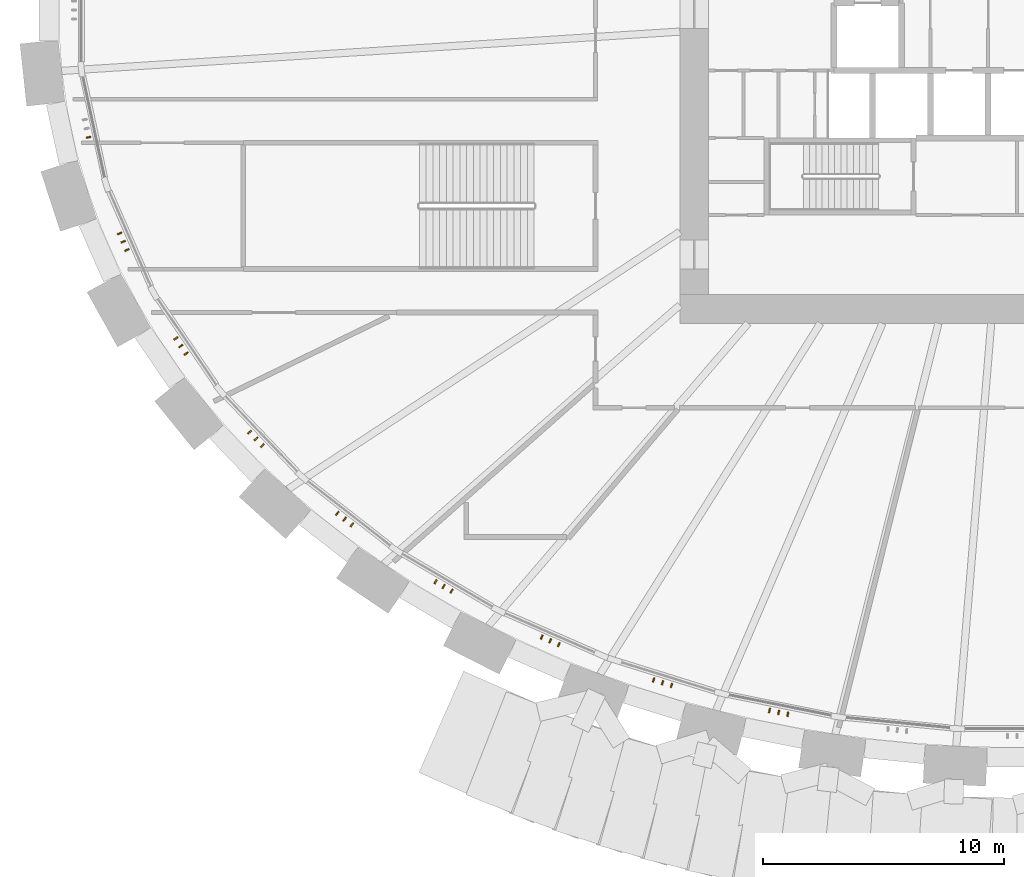
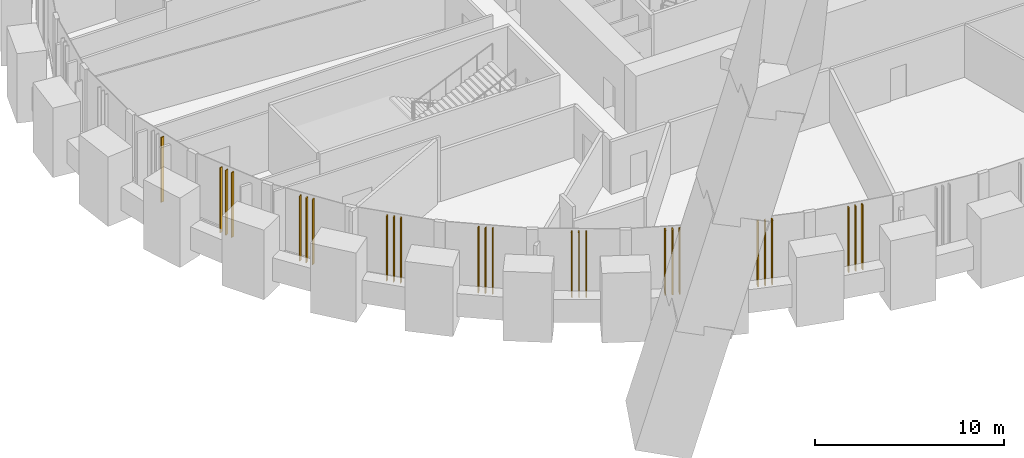
# One storey, part 13 of 23: 25 shading devices.
"""IFC4 building model written with IfcOpenShell, lengths in metres."""

from ifc_helpers import new_model, si_unit, direction, frame, origin, origin_2d, place, context, subcontext, project, spatial, rectangle, extrude, source, transform, mapped, material, material_profile, profile_set, type_object, element, save


model = new_model("IFC4")

# Units and contexts
model_context = context("Model", 3, precision=1e-05, world=origin(), true_north=direction((0.0, 1.0)))
body_context = subcontext(model_context, "Body", "Model", "MODEL_VIEW")
ifc_project = project(units=[si_unit("LENGTHUNIT", "METRE"), si_unit("AREAUNIT", "SQUARE_METRE"), si_unit("VOLUMEUNIT", "CUBIC_METRE"), si_unit("PLANEANGLEUNIT", "RADIAN"), si_unit("MASSUNIT", "GRAM", prefix="KILO")], contexts=[model_context])

# Site, building, storey
site_placement = place(None, origin())
site = spatial("IfcSite", under=ifc_project, at=site_placement, CompositionType="ELEMENT")
building_placement = place(site_placement, origin())
building = spatial("IfcBuilding", under=site, at=building_placement, Name="Embergate Tower", CompositionType="ELEMENT")
storey_placement = place(building_placement, frame((0.0, 0.0, 29.0)))
storey = spatial("IfcBuildingStorey", under=building, at=storey_placement, Name="L03", CompositionType="ELEMENT", Elevation=29.0)

# Shading devices
ifc_material = material(Name="Terracotta, extruded and glazed", Category="masonry")
ifc_material_profile = material_profile(ifc_material, rectangle(XDim=0.18994140625, YDim=0.06005859375, at=origin_2d()), Name="TC 190x60")
ifc_profile_set = profile_set([ifc_material_profile], Name="Terracotta, extruded and glazed")
shading_device_type = type_object("IfcShadingDeviceType", Name="Terracotta fin", PredefinedType="USERDEFINED", material=ifc_profile_set)
shared_shape = source(origin(), body_context, "Body", "SweptSolid", [
    extrude(rectangle(XDim=0.18994140625, YDim=0.06005859375, at=origin_2d()), origin(), (0.0, 0.0, 1.0), 4.199951171875),
])
for number, where, z_axis, x_axis, name in (
    (1, (-38.54541015625, -5.27587890625, 0.0), (0.0, 0.0, 1.0), (0.97761683237, 0.21039327239, 0.0), "Fin 23.3"),
    (2, (-37.255615234375, -9.265380859375, 0.0), (0.0, 0.0, 1.0), (0.915795833921, 0.401644109346, 0.0), "Fin 24.1"),
    (3, (-37.10400390625, -9.61083984375, 0.0), (0.0, 0.0, 1.0), (0.915795833921, 0.401644109346, 0.0), "Fin 24.2"),
    (4, (-36.95263671875, -9.956298828125, 0.0), (0.0, 0.0, 1.0), (0.915795833921, 0.401644109346, 0.0), "Fin 24.3"),
    (5, (-34.921875, -13.627197265625, 0.0), (0.0, 0.0, 1.0), (0.826910820018, 0.562333082556, 0.0), "Fin 25.1"),
    (6, (-34.70849609375, -13.94091796875, 0.0), (0.0, 0.0, 1.0), (0.826910820018, 0.562333082556, 0.0), "Fin 25.2"),
    (7, (-34.4951171875, -14.2548828125, 0.0), (0.0, 0.0, 1.0), (0.826910820018, 0.562333082556, 0.0), "Fin 25.3"),
    (8, (-31.857421875, -17.52001953125, 0.0), (0.0, 0.0, 1.0), (0.723690239735, 0.690124942972, 0.0), "Fin 26.1"),
    (9, (-31.593994140625, -17.79638671875, 0.0), (0.0, 0.0, 1.0), (0.723690239735, 0.690124942972, 0.0), "Fin 26.2"),
    (10, (-31.330322265625, -18.07275390625, 0.0), (0.0, 0.0, 1.0), (0.723690239735, 0.690124942972, 0.0), "Fin 26.3"),
    (11, (-28.2177734375, -20.891357421875, 0.0), (0.0, 0.0, 1.0), (0.615274931259, 0.788312602312, 0.0), "Fin 27.1"),
    (12, (-27.915283203125, -21.127685546875, 0.0), (0.0, 0.0, 1.0), (0.615274931259, 0.788312602312, 0.0), "Fin 27.2"),
    (13, (-27.612548828125, -21.36376953125, 0.0), (0.0, 0.0, 1.0), (0.615274931259, 0.788312602312, 0.0), "Fin 27.3"),
    (14, (-24.138916015625, -23.725341796875, 0.0), (0.0, 0.0, 1.0), (0.506828384679, 0.862046975799, 0.0), "Fin 28.1"),
    (15, (-23.806640625, -23.920654296875, 0.0), (0.0, 0.0, 1.0), (0.506828384679, 0.862046975799, 0.0), "Fin 28.2"),
    (16, (-23.474365234375, -24.1162109375, 0.0), (0.0, 0.0, 1.0), (0.506828384679, 0.862046975799, 0.0), "Fin 28.3"),
    (17, (-19.732421875, -26.025634765625, 0.0), (0.0, 0.0, 1.0), (0.400648090553, 0.916232016214, 0.0), "Fin 29.1"),
    (18, (-19.378173828125, -26.180419921875, 0.0), (0.0, 0.0, 1.0), (0.400648090553, 0.916232016214, 0.0), "Fin 29.2"),
    (19, (-19.023681640625, -26.33544921875, 0.0), (0.0, 0.0, 1.0), (0.400648090553, 0.916232016214, 0.0), "Fin 29.3"),
    (20, (-15.08740234375, -27.803955078125, 0.0), (0.0, 0.0, 1.0), (0.297346545624, 0.954769622373, 0.0), "Fin 30.1"),
    (21, (-14.71728515625, -27.919189453125, 0.0), (0.0, 0.0, 1.0), (0.297346545624, 0.954769622373, 0.0), "Fin 30.2"),
    (22, (-14.34716796875, -28.034423828125, 0.0), (0.0, 0.0, 1.0), (0.297346545624, 0.954769622373, 0.0), "Fin 30.3"),
    (23, (-10.27587890625, -29.073486328125, 0.0), (0.0, 0.0, 1.0), (0.196644384646, 0.980474877795, 0.0), "Fin 31.1"),
    (24, (-9.8955078125, -29.14990234375, 0.0), (0.0, 0.0, 1.0), (0.196644384646, 0.980474877795, 0.0), "Fin 31.2"),
    (25, (-9.514892578125, -29.226318359375, 0.0), (0.0, 0.0, 1.0), (0.196644384646, 0.980474877795, 0.0), "Fin 31.3"),
):
    element("IfcShadingDevice", number, at=place(storey_placement, frame(where, z_axis=z_axis, x_axis=x_axis)), inside=storey, type_object=shading_device_type, Name=name, ObjectType="FIN", PredefinedType="USERDEFINED", context=body_context, shape_type="MappedRepresentation", body=[
        mapped(shared_shape, transform((0.0, 0.0, 0.0))),
    ])

save(model, "model.ifc")
